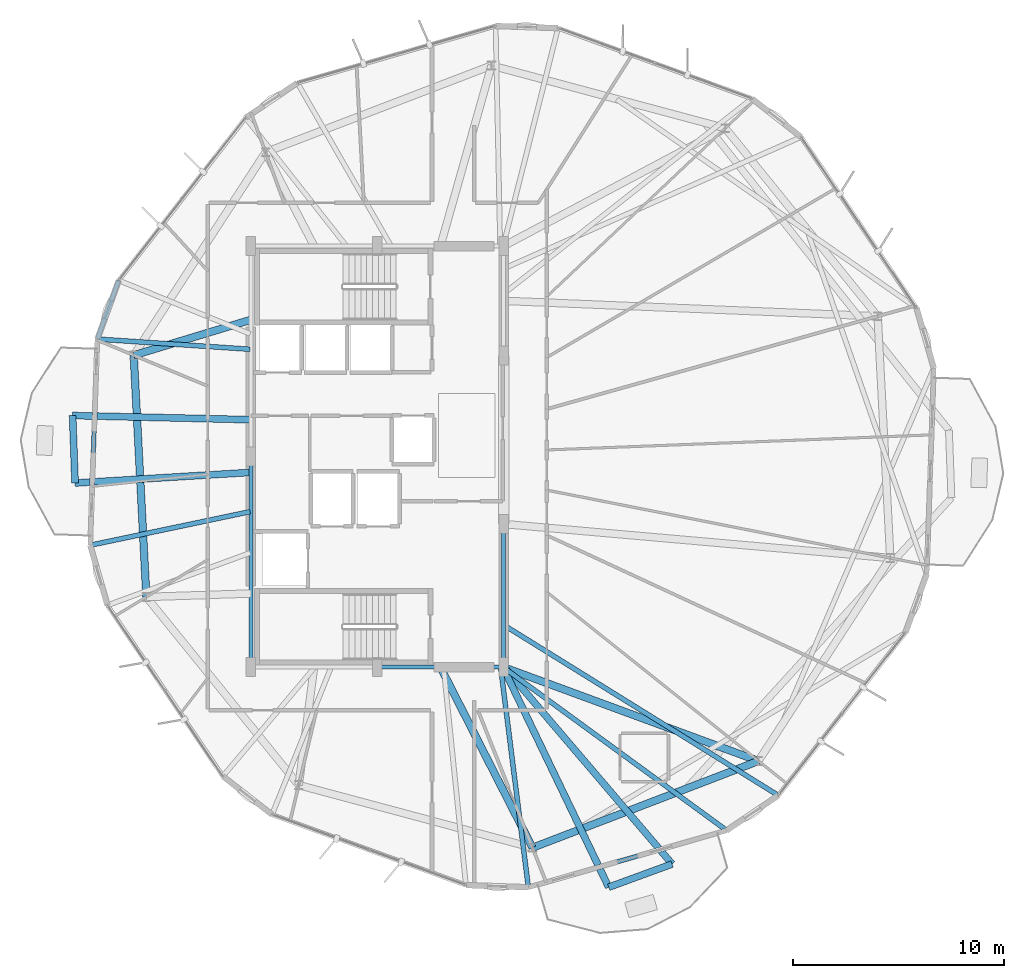
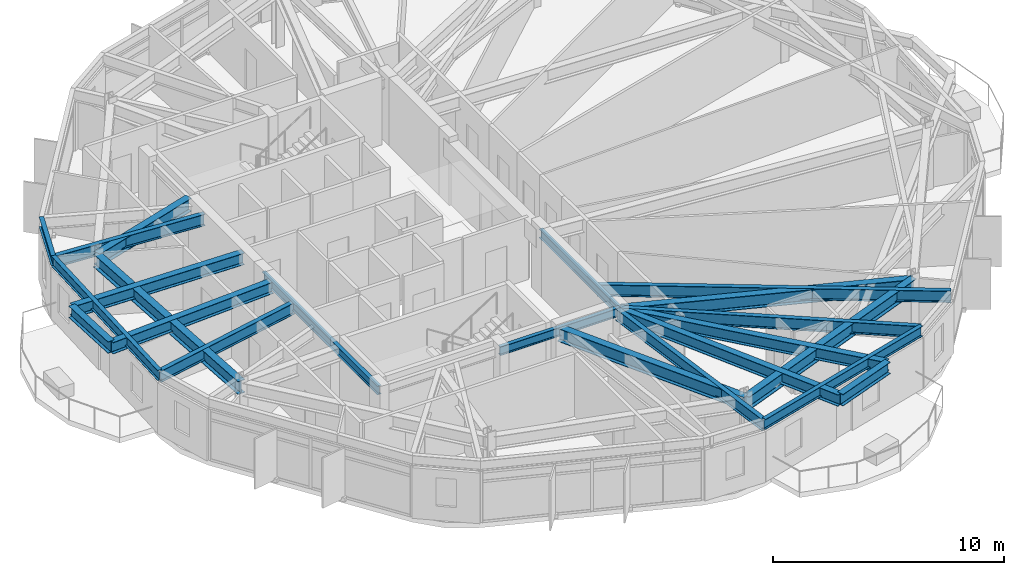
# One storey, part 6 of 30: 22 beams.
"""IFC4 building model written with IfcOpenShell, lengths in metres."""

from ifc_helpers import new_model, si_unit, direction, frame, origin, origin_2d, place, context, subcontext, project, spatial, i_section, extrude, material, material_profile, profile_set, type_object, element, save


model = new_model("IFC4")

# Units and contexts
model_context = context("Model", 3, precision=1e-05, world=origin(), true_north=direction((0.0, 1.0)))
body_context = subcontext(model_context, "Body", "Model", "MODEL_VIEW")
ifc_project = project(units=[si_unit("LENGTHUNIT", "METRE"), si_unit("AREAUNIT", "SQUARE_METRE"), si_unit("VOLUMEUNIT", "CUBIC_METRE"), si_unit("PLANEANGLEUNIT", "RADIAN"), si_unit("MASSUNIT", "GRAM", prefix="KILO")], contexts=[model_context])

# Site, building, storey
site_placement = place(None, origin())
site = spatial("IfcSite", under=ifc_project, at=site_placement, CompositionType="ELEMENT")
building_placement = place(site_placement, origin())
building = spatial("IfcBuilding", under=site, at=building_placement, Name="Soratama Intermodal Tower", CompositionType="ELEMENT")
storey_placement = place(building_placement, frame((0.0, 0.0, 223.0)))
storey = spatial("IfcBuildingStorey", under=building, at=storey_placement, Name="L56", CompositionType="ELEMENT", Elevation=223.0)

# Beams
ifc_material_1 = material(Name="Structural steel ASTM A992 Grade 50", Category="steel")
ifc_material_profile_1 = material_profile(ifc_material_1, i_section(OverallWidth=0.324951171875, OverallDepth=0.615966796875, WebThickness=0.013916015625, FlangeThickness=0.021484375, FilletRadius=0.013916015625, at=origin_2d()), Name="W24X117")
ifc_profile_set_1 = profile_set([ifc_material_profile_1], Name="Structural steel ASTM A992 Grade 50")
beam_type_1 = type_object("IfcBeamType", Name="BM-CANT-W24X117", PredefinedType="BEAM", material=ifc_profile_set_1)
beam_1_placement = place(storey_placement, frame((24.132080078125, 26.950927734375, 2.991943359375), z_axis=(0.036465409055, -0.999334915803, 0.0), x_axis=(0.999334915803, 0.036465409055, 0.0)))
element("IfcBeam", 1, at=beam_1_placement, inside=storey, type_object=beam_type_1, Name="BM-L56-CBHDR-2", PredefinedType="BEAM", context=body_context, shape_type="SweptSolid", body=[
    extrude(i_section(OverallWidth=0.324951171875, OverallDepth=0.615966796875, WebThickness=0.013916015625, FlangeThickness=0.021484375, FilletRadius=0.013916015625, at=origin_2d()), origin(), (0.0, 0.0, 1.0), 3.20703125),
])
beam_2_placement = place(storey_placement, frame((49.593017578125, 4.550048828125, 2.991943359375), z_axis=(0.939111469318, 0.34361264266, 0.0), x_axis=(-0.34361264266, 0.939111469318, 0.0)))
element("IfcBeam", 2, at=beam_2_placement, inside=storey, type_object=beam_type_1, Name="BM-L56-CBHDR-3", PredefinedType="BEAM", context=body_context, shape_type="SweptSolid", body=[
    extrude(i_section(OverallWidth=0.324951171875, OverallDepth=0.615966796875, WebThickness=0.013916015625, FlangeThickness=0.021484375, FilletRadius=0.013916015625, at=origin_2d()), origin(), (0.0, 0.0, 1.0), 3.207275390625),
])
beam_3_placement = place(storey_placement, frame((32.56005859375, 26.75390625, 2.991943359375), z_axis=(-0.999726868129, 0.0233706898, 0.0), x_axis=(-0.0233706898, -0.999726868129, 0.0)))
element("IfcBeam", 3, at=beam_3_placement, inside=storey, type_object=beam_type_1, Name="BM-L56-CANT-2-1", PredefinedType="BEAM", context=body_context, shape_type="SweptSolid", body=[
    extrude(i_section(OverallWidth=0.324951171875, OverallDepth=0.615966796875, WebThickness=0.013916015625, FlangeThickness=0.021484375, FilletRadius=0.013916015625, at=origin_2d()), origin(), (0.0, 0.0, 1.0), 8.43017578125),
])
beam_4_placement = place(storey_placement, frame((32.56005859375, 24.248046875, 2.991943359375), z_axis=(-0.998181137168, -0.060286129429, 0.0), x_axis=(0.060286129429, -0.998181137168, 0.0)))
element("IfcBeam", 4, at=beam_4_placement, inside=storey, type_object=beam_type_1, Name="BM-L56-CANT-2-2", PredefinedType="BEAM", context=body_context, shape_type="SweptSolid", body=[
    extrude(i_section(OverallWidth=0.324951171875, OverallDepth=0.615966796875, WebThickness=0.013916015625, FlangeThickness=0.021484375, FilletRadius=0.013916015625, at=origin_2d()), origin(), (0.0, 0.0, 1.0), 8.326171875),
])
beam_5_placement = place(storey_placement, frame((44.590087890625, 14.964111328125, 2.991943359375), z_axis=(0.433025070838, -0.901381876912, 0.0), x_axis=(0.901381876912, 0.433025070838, 0.0)))
element("IfcBeam", 5, at=beam_5_placement, inside=storey, type_object=beam_type_1, Name="BM-L56-CANT-3-1", PredefinedType="BEAM", context=body_context, shape_type="SweptSolid", body=[
    extrude(i_section(OverallWidth=0.324951171875, OverallDepth=0.615966796875, WebThickness=0.013916015625, FlangeThickness=0.021484375, FilletRadius=0.013916015625, at=origin_2d()), origin(), (0.0, 0.0, 1.0), 11.553466796875),
])
beam_6_placement = place(storey_placement, frame((44.6259765625, 15.008056640625, 2.991943359375), z_axis=(0.648895898739, -0.760877199421, 0.0), x_axis=(0.760877199421, 0.648895898739, 0.0)))
element("IfcBeam", 6, at=beam_6_placement, inside=storey, type_object=beam_type_1, Name="BM-L56-CANT-3-2", PredefinedType="BEAM", context=body_context, shape_type="SweptSolid", body=[
    extrude(i_section(OverallWidth=0.324951171875, OverallDepth=0.615966796875, WebThickness=0.013916015625, FlangeThickness=0.021484375, FilletRadius=0.013916015625, at=origin_2d()), origin(), (0.0, 0.0, 1.0), 12.29638671875),
])
ifc_material_2 = material(Name="Structural steel ASTM A992 Grade 50", Category="steel")
ifc_material_profile_2 = material_profile(ifc_material_2, i_section(OverallWidth=0.19091796875, OverallDepth=0.4599609375, WebThickness=0.010009765625, FlangeThickness=0.01611328125, FilletRadius=0.010986328125, at=origin_2d()), Name="W18X55")
ifc_profile_set_2 = profile_set([ifc_material_profile_2], Name="Structural steel ASTM A992 Grade 50")
beam_type_2 = type_object("IfcBeamType", Name="BM-FLR-W18X55", PredefinedType="BEAM", material=ifc_profile_set_2)
beam_7_placement = place(storey_placement, frame((38.60009765625, 15.0, 3.070068359375), z_axis=(1.0, 0.0, 0.0), x_axis=(0.0, 1.0, 0.0)))
element("IfcBeam", 7, at=beam_7_placement, inside=storey, type_object=beam_type_2, Name="BM-L56-CRING-02", PredefinedType="BEAM", context=body_context, shape_type="SweptSolid", body=[
    extrude(i_section(OverallWidth=0.19091796875, OverallDepth=0.4599609375, WebThickness=0.010009765625, FlangeThickness=0.01611328125, FilletRadius=0.010986328125, at=origin_2d()), origin(), (0.0, 0.0, 1.0), 6.0),
])
beam_8_placement = place(storey_placement, frame((44.60009765625, 15.0, 3.070068359375), z_axis=(0.0, 1.0, 0.0), x_axis=(-1.0, 0.0, 0.0)))
element("IfcBeam", 8, at=beam_8_placement, inside=storey, type_object=beam_type_2, Name="BM-L56-CRING-03", PredefinedType="BEAM", context=body_context, shape_type="SweptSolid", body=[
    extrude(i_section(OverallWidth=0.19091796875, OverallDepth=0.4599609375, WebThickness=0.010009765625, FlangeThickness=0.01611328125, FilletRadius=0.010986328125, at=origin_2d()), origin(), (0.0, 0.0, 1.0), 6.800048828125),
])
beam_9_placement = place(storey_placement, frame((32.60009765625, 25.0, 3.070068359375), z_axis=(0.0, -1.0, 0.0), x_axis=(1.0, 0.0, 0.0)))
element("IfcBeam", 9, at=beam_9_placement, inside=storey, type_object=beam_type_2, Name="BM-L56-CRING-09", PredefinedType="BEAM", context=body_context, shape_type="SweptSolid", body=[
    extrude(i_section(OverallWidth=0.19091796875, OverallDepth=0.4599609375, WebThickness=0.010009765625, FlangeThickness=0.01611328125, FilletRadius=0.010986328125, at=origin_2d()), origin(), (0.0, 0.0, 1.0), 10.0),
])
ifc_material_3 = material(Name="Structural steel ASTM A992 Grade 50", Category="steel")
ifc_material_profile_3 = material_profile(ifc_material_3, i_section(OverallWidth=0.35498046875, OverallDepth=0.695068359375, WebThickness=0.015380859375, FlangeThickness=0.02490234375, FilletRadius=0.01611328125, at=origin_2d()), Name="W27X146")
ifc_profile_set_3 = profile_set([ifc_material_profile_3], Name="Structural steel ASTM A992 Grade 50")
beam_type_3 = type_object("IfcBeamType", Name="BM-RING-W27X146", PredefinedType="BEAM", material=ifc_profile_set_3)
beam_10_placement = place(storey_placement, frame((27.033935546875, 29.81396484375, 2.952392578125), z_axis=(0.052286849724, -0.998632107108, 0.0), x_axis=(0.998632107108, 0.052286849724, 0.0)))
element("IfcBeam", 10, at=beam_10_placement, inside=storey, type_object=beam_type_3, Name="BM-L56-RING-05", PredefinedType="BEAM", context=body_context, shape_type="SweptSolid", body=[
    extrude(i_section(OverallWidth=0.35498046875, OverallDepth=0.695068359375, WebThickness=0.015380859375, FlangeThickness=0.02490234375, FilletRadius=0.01611328125, at=origin_2d()), origin(), (0.0, 0.0, 1.0), 11.49560546875),
])
beam_11_placement = place(storey_placement, frame((45.972900390625, 6.426025390625, 2.952392578125), z_axis=(0.933603724339, 0.358307250695, 0.0), x_axis=(-0.358307250695, 0.933603724339, 0.0)))
element("IfcBeam", 11, at=beam_11_placement, inside=storey, type_object=beam_type_3, Name="BM-L56-RING-08", PredefinedType="BEAM", context=body_context, shape_type="SweptSolid", body=[
    extrude(i_section(OverallWidth=0.35498046875, OverallDepth=0.695068359375, WebThickness=0.015380859375, FlangeThickness=0.02490234375, FilletRadius=0.01611328125, at=origin_2d()), origin(), (0.0, 0.0, 1.0), 11.495361328125),
])
beam_12_placement = place(storey_placement, frame((32.60009765625, 31.5, 2.952392578125), z_axis=(-0.957056879321, -0.289900206526, 0.0), x_axis=(0.289900206526, -0.957056879321, 0.0)))
element("IfcBeam", 12, at=beam_12_placement, inside=storey, type_object=beam_type_3, Name="BM-L56-RAD-05", PredefinedType="BEAM", context=body_context, shape_type="SweptSolid", body=[
    extrude(i_section(OverallWidth=0.35498046875, OverallDepth=0.695068359375, WebThickness=0.015380859375, FlangeThickness=0.02490234375, FilletRadius=0.01611328125, at=origin_2d()), origin(), (0.0, 0.0, 1.0), 5.81591796875),
])
beam_13_placement = place(storey_placement, frame((41.60009765625, 15.0, 2.952392578125), z_axis=(0.454332323157, -0.890832273851, 0.0), x_axis=(0.890832273851, 0.454332323157, 0.0)))
element("IfcBeam", 13, at=beam_13_placement, inside=storey, type_object=beam_type_3, Name="BM-L56-RAD-08", PredefinedType="BEAM", context=body_context, shape_type="SweptSolid", body=[
    extrude(i_section(OverallWidth=0.35498046875, OverallDepth=0.695068359375, WebThickness=0.015380859375, FlangeThickness=0.02490234375, FilletRadius=0.01611328125, at=origin_2d()), origin(), (0.0, 0.0, 1.0), 9.624755859375),
])
beam_14_placement = place(storey_placement, frame((44.60009765625, 15.0, 2.952392578125), z_axis=(0.938460043872, -0.345387819785, 0.0), x_axis=(0.345387819785, 0.938460043872, 0.0)))
element("IfcBeam", 14, at=beam_14_placement, inside=storey, type_object=beam_type_3, Name="BM-L56-RAD-09", PredefinedType="BEAM", context=body_context, shape_type="SweptSolid", body=[
    extrude(i_section(OverallWidth=0.35498046875, OverallDepth=0.695068359375, WebThickness=0.015380859375, FlangeThickness=0.02490234375, FilletRadius=0.01611328125, at=origin_2d()), origin(), (0.0, 0.0, 1.0), 12.898681640625),
])
ifc_material_4 = material(Name="Structural steel ASTM A992 Grade 50", Category="steel")
ifc_material_profile_4 = material_profile(ifc_material_4, i_section(OverallWidth=0.2099609375, OverallDepth=0.537109375, WebThickness=0.010986328125, FlangeThickness=0.017333984375, FilletRadius=0.012939453125, at=origin_2d()), Name="W21X68")
ifc_profile_set_4 = profile_set([ifc_material_profile_4], Name="Structural steel ASTM A992 Grade 50")
beam_type_4 = type_object("IfcBeamType", Name="BM-SPN-W21X68", PredefinedType="SPANDREL", material=ifc_profile_set_4)
beam_15_placement = place(storey_placement, frame((26.318115234375, 33.37109375, 3.031494140625), z_axis=(-0.341835563385, -0.939759781862, 0.0), x_axis=(0.939759781862, -0.341835563385, 0.0)))
element("IfcBeam", 15, at=beam_15_placement, inside=storey, type_object=beam_type_4, Name="BS-L56-CRN03", PredefinedType="SPANDREL", context=body_context, shape_type="SweptSolid", body=[
    extrude(i_section(OverallWidth=0.2099609375, OverallDepth=0.537109375, WebThickness=0.010986328125, FlangeThickness=0.017333984375, FilletRadius=0.012939453125, at=origin_2d()), origin(), (0.0, 0.0, 1.0), 2.966796875),
])
beam_16_placement = place(storey_placement, frame((25.303955078125, 30.5830078125, 3.031494140625), z_axis=(-0.034585858222, -0.999401730242, 0.0), x_axis=(0.999401730242, -0.034585858222, 0.0)))
element("IfcBeam", 16, at=beam_16_placement, inside=storey, type_object=beam_type_4, Name="BS-L56-F04", PredefinedType="SPANDREL", context=body_context, shape_type="SweptSolid", body=[
    extrude(i_section(OverallWidth=0.2099609375, OverallDepth=0.537109375, WebThickness=0.010986328125, FlangeThickness=0.017333984375, FilletRadius=0.012939453125, at=origin_2d()), origin(), (0.0, 0.0, 1.0), 9.7978515625),
])
beam_17_placement = place(storey_placement, frame((45.777099609375, 4.54296875, 3.031494140625), z_axis=(0.961158254541, 0.275997843702, 0.0), x_axis=(-0.275997843702, 0.961158254541, 0.0)))
element("IfcBeam", 17, at=beam_17_placement, inside=storey, type_object=beam_type_4, Name="BS-L56-F07", PredefinedType="SPANDREL", context=body_context, shape_type="SweptSolid", body=[
    extrude(i_section(OverallWidth=0.2099609375, OverallDepth=0.537109375, WebThickness=0.010986328125, FlangeThickness=0.017333984375, FilletRadius=0.012939453125, at=origin_2d()), origin(), (0.0, 0.0, 1.0), 9.797607421875),
])
ifc_material_5 = material(Name="Structural steel ASTM A992 Grade 50", Category="steel")
ifc_material_profile_5 = material_profile(ifc_material_5, i_section(OverallWidth=0.22900390625, OverallDepth=0.612060546875, WebThickness=0.011962890625, FlangeThickness=0.01953125, FilletRadius=0.012939453125, at=origin_2d()), Name="W24X84")
ifc_profile_set_5 = profile_set([ifc_material_profile_5], Name="Structural steel ASTM A992 Grade 50")
beam_type_5 = type_object("IfcBeamType", Name="BM-TIE-W24X84", PredefinedType="BEAM", material=ifc_profile_set_5)
beam_18_placement = place(storey_placement, frame((32.56005859375, 30.097900390625, 2.993896484375), z_axis=(-0.997772662473, 0.066706176789, 0.0), x_axis=(-0.066706176789, -0.997772662473, 0.0)))
element("IfcBeam", 18, at=beam_18_placement, inside=storey, type_object=beam_type_5, Name="BM-L56-TIE0-04", PredefinedType="BEAM", context=body_context, shape_type="SweptSolid", body=[
    extrude(i_section(OverallWidth=0.22900390625, OverallDepth=0.612060546875, WebThickness=0.011962890625, FlangeThickness=0.01953125, FilletRadius=0.012939453125, at=origin_2d()), origin(), (0.0, 0.0, 1.0), 7.272216796875),
])
beam_19_placement = place(storey_placement, frame((32.56103515625, 22.386962890625, 2.993896484375), z_axis=(-0.978632804391, -0.205615743975, 0.0), x_axis=(0.205615743975, -0.978632804391, 0.0)))
element("IfcBeam", 19, at=beam_19_placement, inside=storey, type_object=beam_type_5, Name="BM-L56-TIE1-04", PredefinedType="BEAM", context=body_context, shape_type="SweptSolid", body=[
    extrude(i_section(OverallWidth=0.22900390625, OverallDepth=0.612060546875, WebThickness=0.011962890625, FlangeThickness=0.01953125, FilletRadius=0.012939453125, at=origin_2d()), origin(), (0.0, 0.0, 1.0), 7.76171875),
])
beam_20_placement = place(storey_placement, frame((44.465087890625, 14.9599609375, 2.993896484375), z_axis=(0.124961940891, -0.992161535905, 0.0), x_axis=(0.992161535905, 0.124961940891, 0.0)))
element("IfcBeam", 20, at=beam_20_placement, inside=storey, type_object=beam_type_5, Name="BM-L56-TIE0-07", PredefinedType="BEAM", context=body_context, shape_type="SweptSolid", body=[
    extrude(i_section(OverallWidth=0.22900390625, OverallDepth=0.612060546875, WebThickness=0.011962890625, FlangeThickness=0.01953125, FilletRadius=0.012939453125, at=origin_2d()), origin(), (0.0, 0.0, 1.0), 10.499267578125),
])
beam_21_placement = place(storey_placement, frame((44.60791015625, 14.97607421875, 2.993896484375), z_axis=(0.807647339389, -0.589665816525, 0.0), x_axis=(0.589665816525, 0.807647339389, 0.0)))
element("IfcBeam", 21, at=beam_21_placement, inside=storey, type_object=beam_type_5, Name="BM-L56-TIE1-07", PredefinedType="BEAM", context=body_context, shape_type="SweptSolid", body=[
    extrude(i_section(OverallWidth=0.22900390625, OverallDepth=0.612060546875, WebThickness=0.011962890625, FlangeThickness=0.01953125, FilletRadius=0.012939453125, at=origin_2d()), origin(), (0.0, 0.0, 1.0), 13.107421875),
])
beam_22_placement = place(storey_placement, frame((44.634033203125, 16.987060546875, 2.993896484375), z_axis=(0.849632288601, -0.527375553251, 0.0), x_axis=(0.527375553251, 0.849632288601, 0.0)))
element("IfcBeam", 22, at=beam_22_placement, inside=storey, type_object=beam_type_5, Name="BM-L56-TIE0-08", PredefinedType="BEAM", context=body_context, shape_type="SweptSolid", body=[
    extrude(i_section(OverallWidth=0.22900390625, OverallDepth=0.612060546875, WebThickness=0.011962890625, FlangeThickness=0.01953125, FilletRadius=0.012939453125, at=origin_2d()), origin(), (0.0, 0.0, 1.0), 15.3232421875),
])

save(model, "model.ifc")
